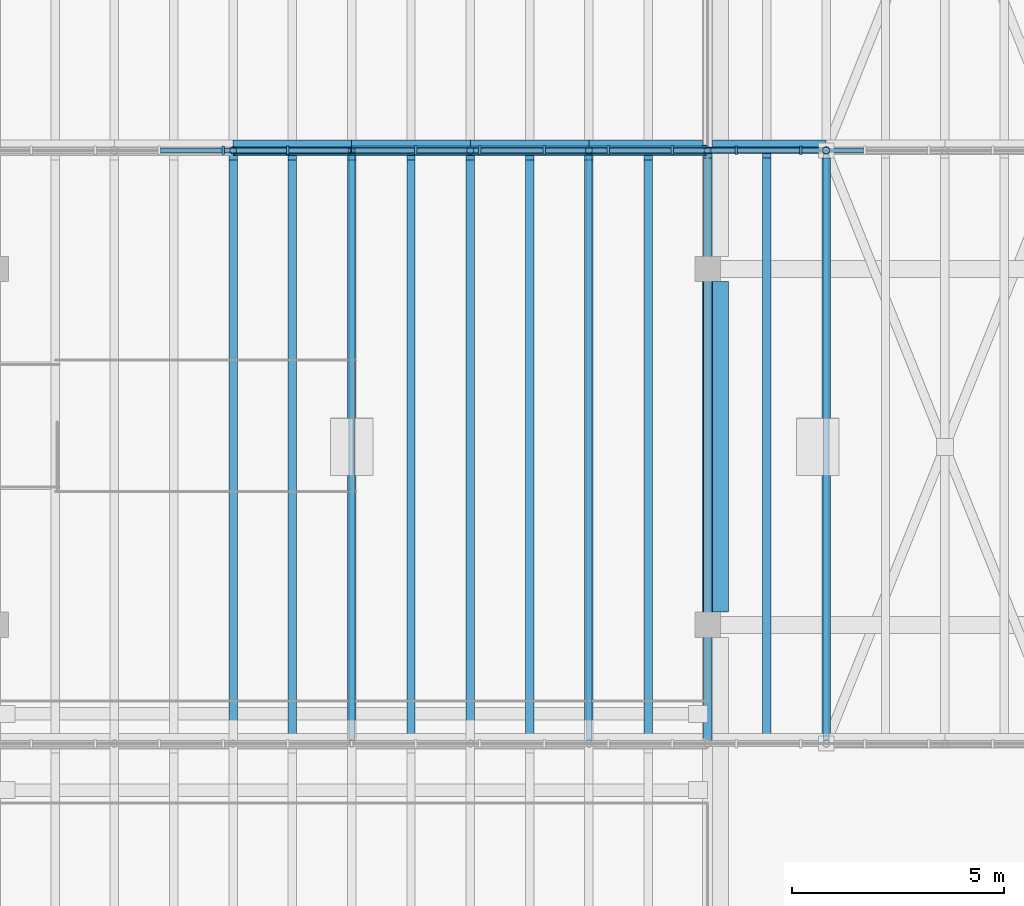
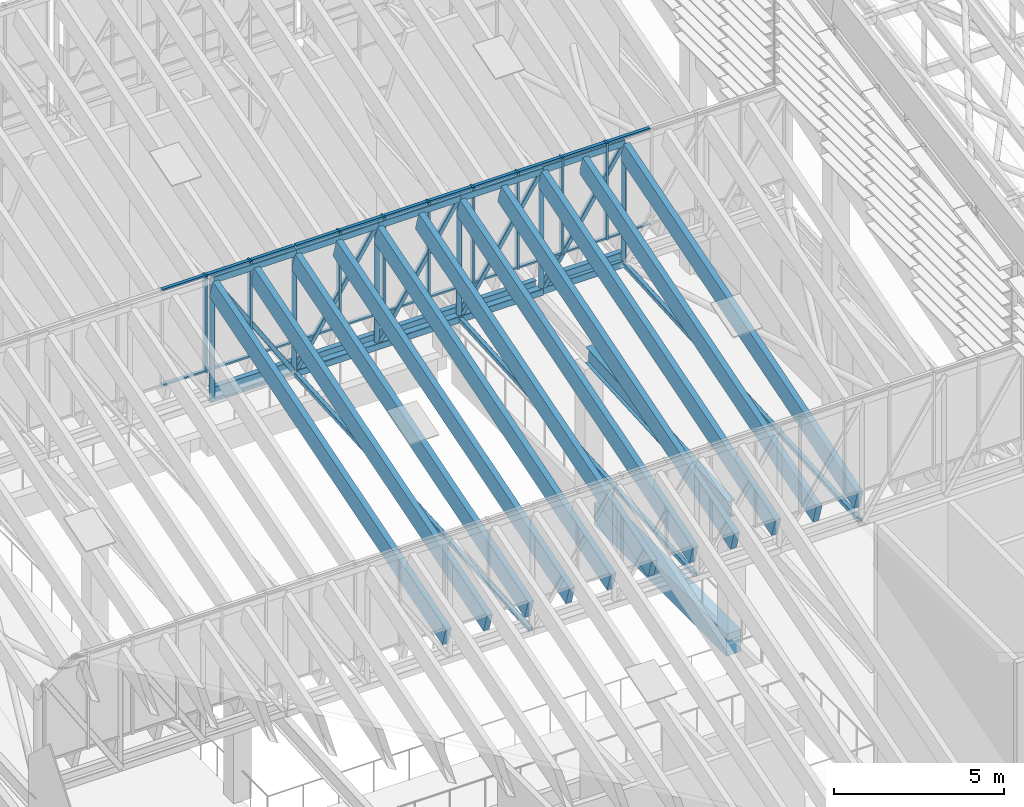
# One storey, part 12 of 91: 63 members, 7 beams, 1 element without a shape of its own.
"""IFC4 building model written with IfcOpenShell, lengths in metres."""

from ifc_helpers import new_model, si_unit, direction, frame, origin, origin_2d, place, context, subcontext, project, spatial, rectangle, hollow_rectangle, hollow_circle, i_section, extrude, material, material_profile, profile_set, type_object, element, aggregate, save


model = new_model("IFC4")

# Units and contexts
model_context = context("Model", 3, precision=1e-05, world=origin(), true_north=direction((0.0, 1.0)))
body_context = subcontext(model_context, "Body", "Model", "MODEL_VIEW")
ifc_project = project(units=[si_unit("LENGTHUNIT", "METRE"), si_unit("AREAUNIT", "SQUARE_METRE"), si_unit("VOLUMEUNIT", "CUBIC_METRE"), si_unit("PLANEANGLEUNIT", "RADIAN"), si_unit("MASSUNIT", "GRAM", prefix="KILO")], contexts=[model_context])

# Site, building, storey
site_placement = place(None, origin())
site = spatial("IfcSite", under=ifc_project, at=site_placement, CompositionType="ELEMENT")
building_placement = place(site_placement, origin())
building = spatial("IfcBuilding", under=site, at=building_placement, Name="Almond Square Museum", CompositionType="ELEMENT")
storey_placement = place(building_placement, frame((0.0, 0.0, 30.0)))
storey = spatial("IfcBuildingStorey", under=building, at=storey_placement, Name="L05", CompositionType="ELEMENT", Elevation=30.0)

# Curtain wall, members
ifc_material_1 = material(Name="Aluminium and laminated glass", Category="aluminium")
curtain_wall_type = type_object("IfcCurtainWallType", Name="Unitised curtain wall 1500 module", PredefinedType="NOTDEFINED", material=ifc_material_1)
curtain_wall_placement = place(storey_placement, origin())
curtain_wall = element("IfcCurtainWall", 1, at=curtain_wall_placement, inside=storey, type_object=curtain_wall_type, Name="Rooflight glazing AG2", PredefinedType="NOTDEFINED")
ifc_material_2 = material(Name="Anodised aluminium", Category="aluminium")
ifc_material_profile_1 = material_profile(ifc_material_2, rectangle(XDim=0.199951171875, YDim=0.06005859375, at=origin_2d()))
ifc_profile_set_1 = profile_set([ifc_material_profile_1], Name="Anodised aluminium")
member_type_1 = type_object("IfcMemberType", Name="Aluminium mullion 60 x 200", PredefinedType="MULLION", material=ifc_profile_set_1)
member_1_placement = place(storey_placement, frame((86.97265625, 95.199951171875, 6.60009765625), z_axis=(0.0, 0.0, 1.0), x_axis=(0.0, 1.0, 0.0)))
member_1 = element("IfcMember", 2, at=member_1_placement, type_object=member_type_1, Name="CW-57 mullion 10", PredefinedType="MULLION", context=body_context, shape_type="SweptSolid", body=[
    extrude(rectangle(XDim=0.199951171875, YDim=0.06005859375, at=origin_2d()), origin(), (0.0, 0.0, 1.0), 3.480224609375),
])
member_2_placement = place(storey_placement, frame((88.486328125, 95.199951171875, 6.60009765625), z_axis=(0.0, 0.0, 1.0), x_axis=(0.0, 1.0, 0.0)))
member_2 = element("IfcMember", 3, at=member_2_placement, type_object=member_type_1, Name="CW-57 mullion 11", PredefinedType="MULLION", context=body_context, shape_type="SweptSolid", body=[
    extrude(rectangle(XDim=0.199951171875, YDim=0.06005859375, at=origin_2d()), origin(), (0.0, 0.0, 1.0), 3.480224609375),
])
member_3_placement = place(storey_placement, frame((91.513671875, 95.199951171875, 6.60009765625), z_axis=(0.0, 0.0, 1.0), x_axis=(0.0, 1.0, 0.0)))
member_3 = element("IfcMember", 4, at=member_3_placement, type_object=member_type_1, Name="CW-57 mullion 13", PredefinedType="MULLION", context=body_context, shape_type="SweptSolid", body=[
    extrude(rectangle(XDim=0.199951171875, YDim=0.06005859375, at=origin_2d()), origin(), (0.0, 0.0, 1.0), 3.480224609375),
])
member_4_placement = place(storey_placement, frame((93.02734375, 95.199951171875, 6.60009765625), z_axis=(0.0, 0.0, 1.0), x_axis=(0.0, 1.0, 0.0)))
member_4 = element("IfcMember", 5, at=member_4_placement, type_object=member_type_1, Name="CW-57 mullion 14", PredefinedType="MULLION", context=body_context, shape_type="SweptSolid", body=[
    extrude(rectangle(XDim=0.199951171875, YDim=0.06005859375, at=origin_2d()), origin(), (0.0, 0.0, 1.0), 3.480224609375),
])
member_5_placement = place(storey_placement, frame((94.541015625, 95.199951171875, 6.60009765625), z_axis=(0.0, 0.0, 1.0), x_axis=(0.0, 1.0, 0.0)))
member_5 = element("IfcMember", 6, at=member_5_placement, type_object=member_type_1, Name="CW-57 mullion 15", PredefinedType="MULLION", context=body_context, shape_type="SweptSolid", body=[
    extrude(rectangle(XDim=0.199951171875, YDim=0.06005859375, at=origin_2d()), origin(), (0.0, 0.0, 1.0), 3.480224609375),
])
member_6_placement = place(storey_placement, frame((96.054443359375, 95.199951171875, 6.60009765625), z_axis=(0.0, 0.0, 1.0), x_axis=(0.0, 1.0, 0.0)))
member_6 = element("IfcMember", 7, at=member_6_placement, type_object=member_type_1, Name="CW-57 mullion 16", PredefinedType="MULLION", context=body_context, shape_type="SweptSolid", body=[
    extrude(rectangle(XDim=0.199951171875, YDim=0.06005859375, at=origin_2d()), origin(), (0.0, 0.0, 1.0), 3.480224609375),
])
member_7_placement = place(storey_placement, frame((97.568115234375, 95.199951171875, 6.60009765625), z_axis=(0.0, 0.0, 1.0), x_axis=(0.0, 1.0, 0.0)))
member_7 = element("IfcMember", 8, at=member_7_placement, type_object=member_type_1, Name="CW-57 mullion 17", PredefinedType="MULLION", context=body_context, shape_type="SweptSolid", body=[
    extrude(rectangle(XDim=0.199951171875, YDim=0.06005859375, at=origin_2d()), origin(), (0.0, 0.0, 1.0), 3.480224609375),
])
member_8_placement = place(storey_placement, frame((99.081787109375, 95.199951171875, 6.60009765625), z_axis=(0.0, 0.0, 1.0), x_axis=(0.0, 1.0, 0.0)))
member_8 = element("IfcMember", 9, at=member_8_placement, type_object=member_type_1, Name="CW-57 mullion 18", PredefinedType="MULLION", context=body_context, shape_type="SweptSolid", body=[
    extrude(rectangle(XDim=0.199951171875, YDim=0.06005859375, at=origin_2d()), origin(), (0.0, 0.0, 1.0), 3.480224609375),
])
member_9_placement = place(storey_placement, frame((100.595458984375, 95.199951171875, 6.60009765625), z_axis=(0.0, 0.0, 1.0), x_axis=(0.0, 1.0, 0.0)))
member_9 = element("IfcMember", 10, at=member_9_placement, type_object=member_type_1, Name="CW-57 mullion 19", PredefinedType="MULLION", context=body_context, shape_type="SweptSolid", body=[
    extrude(rectangle(XDim=0.199951171875, YDim=0.06005859375, at=origin_2d()), origin(), (0.0, 0.0, 1.0), 3.480224609375),
])
ifc_material_3 = material(Name="Anodised aluminium", Category="aluminium")
ifc_material_profile_2 = material_profile(ifc_material_3, rectangle(XDim=0.1201171875, YDim=0.06005859375, at=origin_2d()))
ifc_profile_set_2 = profile_set([ifc_material_profile_2], Name="Anodised aluminium")
member_type_2 = type_object("IfcMemberType", Name="Aluminium transom 60 x 120", PredefinedType="USERDEFINED", material=ifc_profile_set_2)
member_10_placement = place(storey_placement, frame((85.489013671875, 95.199951171875, 6.6298828125), z_axis=(1.0, 0.0, 0.0), x_axis=(0.0, 1.0, 0.0)))
member_10 = element("IfcMember", 11, at=member_10_placement, type_object=member_type_2, Name="CW-57 transom 9.1", ObjectType="TRANSOM", PredefinedType="USERDEFINED", context=body_context, shape_type="SweptSolid", body=[
    extrude(rectangle(XDim=0.1201171875, YDim=0.06005859375, at=origin_2d()), origin(), (0.0, 0.0, 1.0), 1.45361328125),
])
member_11_placement = place(storey_placement, frame((85.489013671875, 95.199951171875, 10.05029296875), z_axis=(1.0, 0.0, 0.0), x_axis=(0.0, 1.0, 0.0)))
member_11 = element("IfcMember", 12, at=member_11_placement, type_object=member_type_2, Name="CW-57 transom 9.2", ObjectType="TRANSOM", PredefinedType="USERDEFINED", context=body_context, shape_type="SweptSolid", body=[
    extrude(rectangle(XDim=0.1201171875, YDim=0.06005859375, at=origin_2d()), origin(), (0.0, 0.0, 1.0), 1.45361328125),
])
member_12_placement = place(storey_placement, frame((87.002685546875, 95.199951171875, 6.6298828125), z_axis=(1.0, 0.0, 0.0), x_axis=(0.0, 1.0, 0.0)))
member_12 = element("IfcMember", 13, at=member_12_placement, type_object=member_type_2, Name="CW-57 transom 10.1", ObjectType="TRANSOM", PredefinedType="USERDEFINED", context=body_context, shape_type="SweptSolid", body=[
    extrude(rectangle(XDim=0.1201171875, YDim=0.06005859375, at=origin_2d()), origin(), (0.0, 0.0, 1.0), 1.45361328125),
])
member_13_placement = place(storey_placement, frame((87.002685546875, 95.199951171875, 10.05029296875), z_axis=(1.0, 0.0, 0.0), x_axis=(0.0, 1.0, 0.0)))
member_13 = element("IfcMember", 14, at=member_13_placement, type_object=member_type_2, Name="CW-57 transom 10.2", ObjectType="TRANSOM", PredefinedType="USERDEFINED", context=body_context, shape_type="SweptSolid", body=[
    extrude(rectangle(XDim=0.1201171875, YDim=0.06005859375, at=origin_2d()), origin(), (0.0, 0.0, 1.0), 1.45361328125),
])
member_14_placement = place(storey_placement, frame((88.516357421875, 95.199951171875, 6.6298828125), z_axis=(1.0, 0.0, 0.0), x_axis=(0.0, 1.0, 0.0)))
member_14 = element("IfcMember", 15, at=member_14_placement, type_object=member_type_2, Name="CW-57 transom 11.1", ObjectType="TRANSOM", PredefinedType="USERDEFINED", context=body_context, shape_type="SweptSolid", body=[
    extrude(rectangle(XDim=0.1201171875, YDim=0.06005859375, at=origin_2d()), origin(), (0.0, 0.0, 1.0), 1.45361328125),
])
member_15_placement = place(storey_placement, frame((88.516357421875, 95.199951171875, 10.05029296875), z_axis=(1.0, 0.0, 0.0), x_axis=(0.0, 1.0, 0.0)))
member_15 = element("IfcMember", 16, at=member_15_placement, type_object=member_type_2, Name="CW-57 transom 11.2", ObjectType="TRANSOM", PredefinedType="USERDEFINED", context=body_context, shape_type="SweptSolid", body=[
    extrude(rectangle(XDim=0.1201171875, YDim=0.06005859375, at=origin_2d()), origin(), (0.0, 0.0, 1.0), 1.45361328125),
])
member_16_placement = place(storey_placement, frame((90.030029296875, 95.199951171875, 6.6298828125), z_axis=(1.0, 0.0, 0.0), x_axis=(0.0, 1.0, 0.0)))
member_16 = element("IfcMember", 17, at=member_16_placement, type_object=member_type_2, Name="CW-57 transom 12.1", ObjectType="TRANSOM", PredefinedType="USERDEFINED", context=body_context, shape_type="SweptSolid", body=[
    extrude(rectangle(XDim=0.1201171875, YDim=0.06005859375, at=origin_2d()), origin(), (0.0, 0.0, 1.0), 1.45361328125),
])
member_17_placement = place(storey_placement, frame((90.030029296875, 95.199951171875, 10.05029296875), z_axis=(1.0, 0.0, 0.0), x_axis=(0.0, 1.0, 0.0)))
member_17 = element("IfcMember", 18, at=member_17_placement, type_object=member_type_2, Name="CW-57 transom 12.2", ObjectType="TRANSOM", PredefinedType="USERDEFINED", context=body_context, shape_type="SweptSolid", body=[
    extrude(rectangle(XDim=0.1201171875, YDim=0.06005859375, at=origin_2d()), origin(), (0.0, 0.0, 1.0), 1.45361328125),
])
member_18_placement = place(storey_placement, frame((91.543701171875, 95.199951171875, 6.6298828125), z_axis=(1.0, 0.0, 0.0), x_axis=(0.0, 1.0, 0.0)))
member_18 = element("IfcMember", 19, at=member_18_placement, type_object=member_type_2, Name="CW-57 transom 13.1", ObjectType="TRANSOM", PredefinedType="USERDEFINED", context=body_context, shape_type="SweptSolid", body=[
    extrude(rectangle(XDim=0.1201171875, YDim=0.06005859375, at=origin_2d()), origin(), (0.0, 0.0, 1.0), 1.45361328125),
])
member_19_placement = place(storey_placement, frame((91.543701171875, 95.199951171875, 10.05029296875), z_axis=(1.0, 0.0, 0.0), x_axis=(0.0, 1.0, 0.0)))
member_19 = element("IfcMember", 20, at=member_19_placement, type_object=member_type_2, Name="CW-57 transom 13.2", ObjectType="TRANSOM", PredefinedType="USERDEFINED", context=body_context, shape_type="SweptSolid", body=[
    extrude(rectangle(XDim=0.1201171875, YDim=0.06005859375, at=origin_2d()), origin(), (0.0, 0.0, 1.0), 1.45361328125),
])
member_20_placement = place(storey_placement, frame((93.057373046875, 95.199951171875, 6.6298828125), z_axis=(1.0, 0.0, 0.0), x_axis=(0.0, 1.0, 0.0)))
member_20 = element("IfcMember", 21, at=member_20_placement, type_object=member_type_2, Name="CW-57 transom 14.1", ObjectType="TRANSOM", PredefinedType="USERDEFINED", context=body_context, shape_type="SweptSolid", body=[
    extrude(rectangle(XDim=0.1201171875, YDim=0.06005859375, at=origin_2d()), origin(), (0.0, 0.0, 1.0), 1.45361328125),
])
member_21_placement = place(storey_placement, frame((93.057373046875, 95.199951171875, 10.05029296875), z_axis=(1.0, 0.0, 0.0), x_axis=(0.0, 1.0, 0.0)))
member_21 = element("IfcMember", 22, at=member_21_placement, type_object=member_type_2, Name="CW-57 transom 14.2", ObjectType="TRANSOM", PredefinedType="USERDEFINED", context=body_context, shape_type="SweptSolid", body=[
    extrude(rectangle(XDim=0.1201171875, YDim=0.06005859375, at=origin_2d()), origin(), (0.0, 0.0, 1.0), 1.45361328125),
])
member_22_placement = place(storey_placement, frame((94.57080078125, 95.199951171875, 6.6298828125), z_axis=(1.0, 0.0, 0.0), x_axis=(0.0, 1.0, 0.0)))
member_22 = element("IfcMember", 23, at=member_22_placement, type_object=member_type_2, Name="CW-57 transom 15.1", ObjectType="TRANSOM", PredefinedType="USERDEFINED", context=body_context, shape_type="SweptSolid", body=[
    extrude(rectangle(XDim=0.1201171875, YDim=0.06005859375, at=origin_2d()), origin(), (0.0, 0.0, 1.0), 1.453857421875),
])
member_23_placement = place(storey_placement, frame((94.57080078125, 95.199951171875, 10.05029296875), z_axis=(1.0, 0.0, 0.0), x_axis=(0.0, 1.0, 0.0)))
member_23 = element("IfcMember", 24, at=member_23_placement, type_object=member_type_2, Name="CW-57 transom 15.2", ObjectType="TRANSOM", PredefinedType="USERDEFINED", context=body_context, shape_type="SweptSolid", body=[
    extrude(rectangle(XDim=0.1201171875, YDim=0.06005859375, at=origin_2d()), origin(), (0.0, 0.0, 1.0), 1.453857421875),
])
member_24_placement = place(storey_placement, frame((96.08447265625, 95.199951171875, 6.6298828125), z_axis=(1.0, 0.0, 0.0), x_axis=(0.0, 1.0, 0.0)))
member_24 = element("IfcMember", 25, at=member_24_placement, type_object=member_type_2, Name="CW-57 transom 16.1", ObjectType="TRANSOM", PredefinedType="USERDEFINED", context=body_context, shape_type="SweptSolid", body=[
    extrude(rectangle(XDim=0.1201171875, YDim=0.06005859375, at=origin_2d()), origin(), (0.0, 0.0, 1.0), 1.45361328125),
])
member_25_placement = place(storey_placement, frame((96.08447265625, 95.199951171875, 10.05029296875), z_axis=(1.0, 0.0, 0.0), x_axis=(0.0, 1.0, 0.0)))
member_25 = element("IfcMember", 26, at=member_25_placement, type_object=member_type_2, Name="CW-57 transom 16.2", ObjectType="TRANSOM", PredefinedType="USERDEFINED", context=body_context, shape_type="SweptSolid", body=[
    extrude(rectangle(XDim=0.1201171875, YDim=0.06005859375, at=origin_2d()), origin(), (0.0, 0.0, 1.0), 1.45361328125),
])
member_26_placement = place(storey_placement, frame((97.59814453125, 95.199951171875, 6.6298828125), z_axis=(1.0, 0.0, 0.0), x_axis=(0.0, 1.0, 0.0)))
member_26 = element("IfcMember", 27, at=member_26_placement, type_object=member_type_2, Name="CW-57 transom 17.1", ObjectType="TRANSOM", PredefinedType="USERDEFINED", context=body_context, shape_type="SweptSolid", body=[
    extrude(rectangle(XDim=0.1201171875, YDim=0.06005859375, at=origin_2d()), origin(), (0.0, 0.0, 1.0), 1.45361328125),
])
member_27_placement = place(storey_placement, frame((97.59814453125, 95.199951171875, 10.05029296875), z_axis=(1.0, 0.0, 0.0), x_axis=(0.0, 1.0, 0.0)))
member_27 = element("IfcMember", 28, at=member_27_placement, type_object=member_type_2, Name="CW-57 transom 17.2", ObjectType="TRANSOM", PredefinedType="USERDEFINED", context=body_context, shape_type="SweptSolid", body=[
    extrude(rectangle(XDim=0.1201171875, YDim=0.06005859375, at=origin_2d()), origin(), (0.0, 0.0, 1.0), 1.45361328125),
])
member_28_placement = place(storey_placement, frame((99.11181640625, 95.199951171875, 6.6298828125), z_axis=(1.0, 0.0, 0.0), x_axis=(0.0, 1.0, 0.0)))
member_28 = element("IfcMember", 29, at=member_28_placement, type_object=member_type_2, Name="CW-57 transom 18.1", ObjectType="TRANSOM", PredefinedType="USERDEFINED", context=body_context, shape_type="SweptSolid", body=[
    extrude(rectangle(XDim=0.1201171875, YDim=0.06005859375, at=origin_2d()), origin(), (0.0, 0.0, 1.0), 1.45361328125),
])
member_29_placement = place(storey_placement, frame((99.11181640625, 95.199951171875, 10.05029296875), z_axis=(1.0, 0.0, 0.0), x_axis=(0.0, 1.0, 0.0)))
member_29 = element("IfcMember", 30, at=member_29_placement, type_object=member_type_2, Name="CW-57 transom 18.2", ObjectType="TRANSOM", PredefinedType="USERDEFINED", context=body_context, shape_type="SweptSolid", body=[
    extrude(rectangle(XDim=0.1201171875, YDim=0.06005859375, at=origin_2d()), origin(), (0.0, 0.0, 1.0), 1.45361328125),
])
member_30_placement = place(storey_placement, frame((100.62548828125, 95.199951171875, 6.6298828125), z_axis=(1.0, 0.0, 0.0), x_axis=(0.0, 1.0, 0.0)))
member_30 = element("IfcMember", 31, at=member_30_placement, type_object=member_type_2, Name="CW-57 transom 19.1", ObjectType="TRANSOM", PredefinedType="USERDEFINED", context=body_context, shape_type="SweptSolid", body=[
    extrude(rectangle(XDim=0.1201171875, YDim=0.06005859375, at=origin_2d()), origin(), (0.0, 0.0, 1.0), 1.45361328125),
])
member_31_placement = place(storey_placement, frame((100.62548828125, 95.199951171875, 10.05029296875), z_axis=(1.0, 0.0, 0.0), x_axis=(0.0, 1.0, 0.0)))
member_31 = element("IfcMember", 32, at=member_31_placement, type_object=member_type_2, Name="CW-57 transom 19.2", ObjectType="TRANSOM", PredefinedType="USERDEFINED", context=body_context, shape_type="SweptSolid", body=[
    extrude(rectangle(XDim=0.1201171875, YDim=0.06005859375, at=origin_2d()), origin(), (0.0, 0.0, 1.0), 1.45361328125),
])
aggregate(curtain_wall, [member_1, member_2, member_3, member_4, member_5, member_6, member_7, member_8, member_9, member_10, member_11, member_12, member_13, member_14, member_15, member_16, member_17, member_18, member_19, member_20, member_21, member_22, member_23, member_24, member_25, member_26, member_27, member_28, member_29, member_30, member_31])

# Beam
ifc_material_4 = material(Name="Structural steel S355", Category="steel")
ifc_material_profile_3 = material_profile(ifc_material_4, i_section(OverallWidth=0.22802734375, OverallDepth=0.60693359375, WebThickness=0.01123046875, FlangeThickness=0.017333984375, at=origin_2d()))
ifc_profile_set_3 = profile_set([ifc_material_profile_3], Name="Structural steel S355")
beam_type_1 = type_object("IfcBeamType", Name="Girder W610x113", PredefinedType="BEAM", material=ifc_profile_set_3)
beam_1_placement = place(storey_placement, frame((98.39990234375, 84.0, 4.436767578125), z_axis=(0.0, 0.998371428865, 0.0570481378), x_axis=(-1.0, 0.0, 0.0)))
element("IfcBeam", 33, at=beam_1_placement, inside=storey, type_object=beam_type_1, Name="Atrium roof girder 3.2", PredefinedType="BEAM", context=body_context, shape_type="SweptSolid", body=[
    extrude(i_section(OverallWidth=0.22802734375, OverallDepth=0.60693359375, WebThickness=0.01123046875, FlangeThickness=0.017333984375, at=origin_2d()), origin(), (0.0, 0.0, 1.0), 8.41357421875),
])

# Members
ifc_material_5 = material(Name="Glulam GL28h", Category="wood")
ifc_material_profile_4 = material_profile(ifc_material_5, rectangle(XDim=0.199951171875, YDim=0.699951171875, at=origin_2d()))
ifc_profile_set_4 = profile_set([ifc_material_profile_4], Name="Glulam GL28h")
member_type_3 = type_object("IfcMemberType", Name="Glulam rafter GL28h 200x700", PredefinedType="RAFTER", material=ifc_profile_set_4)
for number, where, z_axis, x_axis, name in (
    (34, (87.199951171875, 81.35791015625, 5.377685546875), (0.0, 0.956302273391, 0.292379824727), (-1.0, 0.0, 0.0), "Atrium rafter 2.11"),
    (35, (88.60009765625, 81.35791015625, 5.377685546875), (0.0, 0.956302273391, 0.292379824727), (-1.0, 0.0, 0.0), "Atrium rafter 2.12"),
    (36, (90.0, 81.35791015625, 5.377685546875), (0.0, 0.956302273391, 0.292379824727), (-1.0, 0.0, 0.0), "Atrium rafter 2.13"),
    (37, (91.39990234375, 81.35791015625, 5.377685546875), (0.0, 0.956302273391, 0.292379824727), (-1.0, 0.0, 0.0), "Atrium rafter 2.14"),
    (38, (92.800048828125, 81.35791015625, 5.377685546875), (0.0, 0.956302273391, 0.292379824727), (-1.0, 0.0, 0.0), "Atrium rafter 2.15"),
    (39, (94.199951171875, 81.35791015625, 5.377685546875), (0.0, 0.956302273391, 0.292379824727), (-1.0, 0.0, 0.0), "Atrium rafter 2.16"),
    (40, (95.60009765625, 81.35791015625, 5.377685546875), (0.0, 0.956302273391, 0.292379824727), (-1.0, 0.0, 0.0), "Atrium rafter 2.17"),
    (41, (97.0, 81.35791015625, 5.377685546875), (0.0, 0.956302273391, 0.292379824727), (-1.0, 0.0, 0.0), "Atrium rafter 2.18"),
):
    element("IfcMember", number, at=place(storey_placement, frame(where, z_axis=z_axis, x_axis=x_axis)), inside=storey, type_object=member_type_3, Name=name, PredefinedType="RAFTER", context=body_context, shape_type="SweptSolid", body=[
        extrude(rectangle(XDim=0.199951171875, YDim=0.699951171875, at=origin_2d()), origin(), (0.0, 0.0, 1.0), 14.34375),
    ])
for number, where, z_axis, x_axis, name in (
    (42, (98.39990234375, 81.35791015625, 5.377685546875), (0.0, 0.956305482031, 0.29236932985), (-1.0, 0.0, 0.0), "Atrium rafter 2.19"),
    (43, (99.800048828125, 81.35791015625, 5.377685546875), (0.0, 0.956305482031, 0.29236932985), (-1.0, 0.0, 0.0), "Atrium rafter 2.20"),
    (44, (101.199951171875, 81.35791015625, 5.377685546875), (0.0, 0.956305482031, 0.29236932985), (-1.0, 0.0, 0.0), "Atrium rafter 2.21"),
):
    element("IfcMember", number, at=place(storey_placement, frame(where, z_axis=z_axis, x_axis=x_axis)), inside=storey, type_object=member_type_3, Name=name, PredefinedType="RAFTER", context=body_context, shape_type="SweptSolid", body=[
        extrude(rectangle(XDim=0.199951171875, YDim=0.699951171875, at=origin_2d()), origin(), (0.0, 0.0, 1.0), 14.396240234375),
    ])

# Beam
ifc_material_6 = material(Name="Concrete C40/50", Category="concrete")
ifc_material_profile_5 = material_profile(ifc_material_6, rectangle(XDim=0.5, YDim=0.800048828125, at=origin_2d()))
ifc_profile_set_5 = profile_set([ifc_material_profile_5], Name="Concrete C40/50")
beam_type_2 = type_object("IfcBeamType", Name="RC edge beam 500 x 800 C40/50", PredefinedType="BEAM", material=ifc_profile_set_5)
beam_2_placement = place(storey_placement, frame((98.64990234375, 84.300048828125, -0.64990234375), z_axis=(0.0, 1.0, 0.0), x_axis=(-1.0, 0.0, 0.0)))
element("IfcBeam", 45, at=beam_2_placement, inside=storey, type_object=beam_type_2, Name="Edge beam 13 K-L L05", PredefinedType="BEAM", context=body_context, shape_type="SweptSolid", body=[
    extrude(rectangle(XDim=0.5, YDim=0.800048828125, at=origin_2d()), origin(), (0.0, 0.0, 1.0), 7.800048828125),
])

# Members
ifc_material_7 = material(Name="Structural steel S355", Category="steel")
ifc_material_profile_6 = material_profile(ifc_material_7, hollow_rectangle(XDim=0.14990234375, YDim=0.25, WallThickness=0.010009765625, InnerFilletRadius=0.014892578125, OuterFilletRadius=0.02490234375, at=origin_2d()))
ifc_profile_set_6 = profile_set([ifc_material_profile_6], Name="Structural steel S355")
member_type_4 = type_object("IfcMemberType", Name="Truss chord RHS 250x150x10", PredefinedType="CHORD", material=ifc_profile_set_6)
for number, where, z_axis, x_axis, name in (
    (46, (98.39990234375, 95.199951171875, 9.8505859375), (1.0, 0.0, 0.0), (0.0, 1.0, 0.0), "TR-11 top chord 10"),
    (47, (98.39990234375, 95.199951171875, 5.505126953125), (1.0, 0.0, 0.0), (0.0, 1.0, 0.0), "TR-11 bottom chord 10"),
):
    element("IfcMember", number, at=place(storey_placement, frame(where, z_axis=z_axis, x_axis=x_axis)), inside=storey, type_object=member_type_4, Name=name, PredefinedType="CHORD", context=body_context, shape_type="SweptSolid", body=[
        extrude(hollow_rectangle(XDim=0.14990234375, YDim=0.25, WallThickness=0.010009765625, InnerFilletRadius=0.014892578125, OuterFilletRadius=0.02490234375, at=origin_2d()), origin(), (0.0, 0.0, 1.0), 2.800048828125),
    ])
ifc_material_8 = material(Name="Structural steel S355", Category="steel")
ifc_material_profile_7 = material_profile(ifc_material_8, hollow_rectangle(XDim=0.25, YDim=0.25, WallThickness=0.012451171875, InnerFilletRadius=0.02490234375, OuterFilletRadius=0.03759765625, at=origin_2d()))
ifc_profile_set_7 = profile_set([ifc_material_profile_7], Name="Structural steel S355")
member_type_5 = type_object("IfcMemberType", Name="Truss chord SHS 250x250x12.5", PredefinedType="CHORD", material=ifc_profile_set_7)
for number, where, z_axis, x_axis, name in (
    (48, (87.199951171875, 95.199951171875, 9.8505859375), (1.0, 0.0, 0.0), (0.0, 1.0, 0.0), "TR-11 top chord 6"),
    (49, (90.0, 95.199951171875, 9.8505859375), (1.0, 0.0, 0.0), (0.0, 1.0, 0.0), "TR-11 top chord 7"),
):
    element("IfcMember", number, at=place(storey_placement, frame(where, z_axis=z_axis, x_axis=x_axis)), inside=storey, type_object=member_type_5, Name=name, PredefinedType="CHORD", context=body_context, shape_type="SweptSolid", body=[
        extrude(hollow_rectangle(XDim=0.25, YDim=0.25, WallThickness=0.012451171875, InnerFilletRadius=0.02490234375, OuterFilletRadius=0.03759765625, at=origin_2d()), origin(), (0.0, 0.0, 1.0), 2.800048828125),
    ])
member_32_placement = place(storey_placement, frame((90.0, 95.199951171875, 5.505126953125), z_axis=(1.0, 0.0, 0.0), x_axis=(0.0, 1.0, 0.0)))
element("IfcMember", 50, at=member_32_placement, inside=storey, type_object=member_type_5, Name="TR-11 bottom chord 7 to 9", PredefinedType="CHORD", context=body_context, shape_type="SweptSolid", body=[
    extrude(hollow_rectangle(XDim=0.25, YDim=0.25, WallThickness=0.012451171875, InnerFilletRadius=0.02490234375, OuterFilletRadius=0.03759765625, at=origin_2d()), origin(), (0.0, 0.0, 1.0), 8.39990234375),
])
member_33_placement = place(storey_placement, frame((92.800048828125, 95.199951171875, 9.8505859375), z_axis=(1.0, 0.0, 0.0), x_axis=(0.0, 1.0, 0.0)))
element("IfcMember", 51, at=member_33_placement, inside=storey, type_object=member_type_5, Name="TR-11 top chord 8", PredefinedType="CHORD", context=body_context, shape_type="SweptSolid", body=[
    extrude(hollow_rectangle(XDim=0.25, YDim=0.25, WallThickness=0.012451171875, InnerFilletRadius=0.02490234375, OuterFilletRadius=0.03759765625, at=origin_2d()), origin(), (0.0, 0.0, 1.0), 2.800048828125),
])
member_34_placement = place(storey_placement, frame((95.60009765625, 95.199951171875, 9.8505859375), z_axis=(1.0, 0.0, 0.0), x_axis=(0.0, 1.0, 0.0)))
element("IfcMember", 52, at=member_34_placement, inside=storey, type_object=member_type_5, Name="TR-11 top chord 9", PredefinedType="CHORD", context=body_context, shape_type="SweptSolid", body=[
    extrude(hollow_rectangle(XDim=0.25, YDim=0.25, WallThickness=0.012451171875, InnerFilletRadius=0.02490234375, OuterFilletRadius=0.03759765625, at=origin_2d()), origin(), (0.0, 0.0, 1.0), 2.7998046875),
])
ifc_material_9 = material(Name="Structural steel S355", Category="steel")
ifc_material_profile_8 = material_profile(ifc_material_9, hollow_rectangle(XDim=0.14990234375, YDim=0.14990234375, WallThickness=0.008056640625, InnerFilletRadius=0.011962890625, OuterFilletRadius=0.02001953125, at=origin_2d()))
ifc_profile_set_8 = profile_set([ifc_material_profile_8], Name="Structural steel S355")
member_type_6 = type_object("IfcMemberType", Name="Truss diagonal SHS 150x150x8", PredefinedType="BRACE", material=ifc_profile_set_8)
for number, where, z_axis, x_axis, name in (
    (53, (87.199951171875, 95.199951171875, 9.8505859375), (0.541652391523, 0.0, -0.840602573609), (0.0, 1.0, 0.0), "TR-11 diagonal 6"),
    (54, (90.0, 95.199951171875, 5.505126953125), (0.541652391523, 0.0, 0.840602573609), (0.0, 1.0, 0.0), "TR-11 diagonal 7"),
    (55, (92.800048828125, 95.199951171875, 5.505126953125), (0.541652391523, 0.0, 0.840602573609), (0.0, 1.0, 0.0), "TR-11 diagonal 8"),
    (56, (95.60009765625, 95.199951171875, 5.505126953125), (0.54161901868, 0.0, 0.840624076865), (0.0, 1.0, 0.0), "TR-11 diagonal 9"),
    (57, (98.39990234375, 95.199951171875, 5.505126953125), (0.541652391523, 0.0, 0.840602573609), (0.0, 1.0, 0.0), "TR-11 diagonal 10"),
):
    element("IfcMember", number, at=place(storey_placement, frame(where, z_axis=z_axis, x_axis=x_axis)), inside=storey, type_object=member_type_6, Name=name, PredefinedType="BRACE", context=body_context, shape_type="SweptSolid", body=[
        extrude(hollow_rectangle(XDim=0.14990234375, YDim=0.14990234375, WallThickness=0.008056640625, InnerFilletRadius=0.011962890625, OuterFilletRadius=0.02001953125, at=origin_2d()), origin(), (0.0, 0.0, 1.0), 5.16943359375),
    ])
ifc_material_10 = material(Name="Structural steel S355", Category="steel")
ifc_material_profile_9 = material_profile(ifc_material_10, hollow_circle(Radius=0.084228515625, WallThickness=0.008056640625, at=origin_2d()))
ifc_profile_set_9 = profile_set([ifc_material_profile_9], Name="Structural steel S355")
member_type_7 = type_object("IfcMemberType", Name="Truss post CHS 168.3x8", PredefinedType="POST", material=ifc_profile_set_9)
for number, where, z_axis, x_axis, name in (
    (58, (87.199951171875, 95.199951171875, 5.505126953125), (0.0, 0.0, 1.0), (1.0, 0.0, 0.0), "TR-11 post 6"),
    (59, (90.0, 95.199951171875, 5.505126953125), (0.0, 0.0, 1.0), (1.0, 0.0, 0.0), "TR-11 post 7"),
    (60, (92.800048828125, 95.199951171875, 5.505126953125), (0.0, 0.0, 1.0), (1.0, 0.0, 0.0), "TR-11 post 8"),
    (61, (95.60009765625, 95.199951171875, 5.505126953125), (0.0, 0.0, 1.0), (1.0, 0.0, 0.0), "TR-11 post 9"),
    (62, (98.39990234375, 95.199951171875, 5.505126953125), (0.0, 0.0, 1.0), (1.0, 0.0, 0.0), "TR-11 post 10"),
    (63, (101.199951171875, 95.199951171875, 5.505126953125), (0.0, 0.0, 1.0), (1.0, 0.0, 0.0), "TR-11 post 11"),
):
    element("IfcMember", number, at=place(storey_placement, frame(where, z_axis=z_axis, x_axis=x_axis)), inside=storey, type_object=member_type_7, Name=name, PredefinedType="POST", context=body_context, shape_type="SweptSolid", body=[
        extrude(hollow_circle(Radius=0.084228515625, WallThickness=0.008056640625, at=origin_2d()), origin(), (0.0, 0.0, 1.0), 4.345458984375),
    ])
ifc_material_11 = material(Name="Structural steel S355", Category="steel")
ifc_material_profile_10 = material_profile(ifc_material_11, hollow_rectangle(XDim=0.14990234375, YDim=0.14990234375, WallThickness=0.008056640625, InnerFilletRadius=0.011962890625, OuterFilletRadius=0.02001953125, at=origin_2d()))
ifc_profile_set_10 = profile_set([ifc_material_profile_10], Name="Structural steel S355")
member_type_8 = type_object("IfcMemberType", Name="Truss tie SHS 150x150x8", PredefinedType="MEMBER", material=ifc_profile_set_10)
for number, where, z_axis, x_axis, name in (
    (64, (90.0, 81.27490234375, 4.705078125), (0.0, 0.998335774698, 0.057668717322), (-1.0, 0.0, 0.0), "Atrium bay 1 tie 4"),
    (65, (95.60009765625, 81.27490234375, 4.705078125), (0.0, 0.998335774698, 0.057668717322), (-1.0, 0.0, 0.0), "Atrium bay 1 tie 5"),
    (66, (101.199951171875, 81.27490234375, 4.705078125), (0.0, 0.998335774698, 0.057668717322), (-1.0, 0.0, 0.0), "Atrium bay 1 tie 6"),
):
    element("IfcMember", number, at=place(storey_placement, frame(where, z_axis=z_axis, x_axis=x_axis)), inside=storey, type_object=member_type_8, Name=name, PredefinedType="MEMBER", context=body_context, shape_type="SweptSolid", body=[
        extrude(hollow_rectangle(XDim=0.14990234375, YDim=0.14990234375, WallThickness=0.008056640625, InnerFilletRadius=0.011962890625, OuterFilletRadius=0.02001953125, at=origin_2d()), origin(), (0.0, 0.0, 1.0), 13.873291015625),
    ])

# Beams
ifc_material_12 = material(Name="Structural steel S355", Category="steel")
ifc_material_profile_11 = material_profile(ifc_material_12, i_section(OverallWidth=0.166015625, OverallDepth=0.528076171875, WebThickness=0.009765625, FlangeThickness=0.013671875, at=origin_2d()))
ifc_profile_set_11 = profile_set([ifc_material_profile_11], Name="Structural steel S355")
beam_type_3 = type_object("IfcBeamType", Name="Valley beam W530x74", PredefinedType="BEAM", material=ifc_profile_set_11)
for number, where, z_axis, x_axis, name in (
    (67, (87.199951171875, 95.35791015625, 5.587890625), (1.0, 0.0, 0.0), (0.0, 1.0, 0.0), "Atrium valley beam 2.6"),
    (68, (90.0, 95.35791015625, 5.587890625), (1.0, 0.0, 0.0), (0.0, 1.0, 0.0), "Atrium valley beam 2.7"),
    (69, (92.800048828125, 95.35791015625, 5.587890625), (1.0, 0.0, 0.0), (0.0, 1.0, 0.0), "Atrium valley beam 2.8"),
):
    element("IfcBeam", number, at=place(storey_placement, frame(where, z_axis=z_axis, x_axis=x_axis)), inside=storey, type_object=beam_type_3, Name=name, PredefinedType="BEAM", context=body_context, shape_type="SweptSolid", body=[
        extrude(i_section(OverallWidth=0.166015625, OverallDepth=0.528076171875, WebThickness=0.009765625, FlangeThickness=0.013671875, at=origin_2d()), origin(), (0.0, 0.0, 1.0), 2.800048828125),
    ])
beam_3_placement = place(storey_placement, frame((95.60009765625, 95.35791015625, 5.587890625), z_axis=(1.0, 0.0, 0.0), x_axis=(0.0, 1.0, 0.0)))
element("IfcBeam", 70, at=beam_3_placement, inside=storey, type_object=beam_type_3, Name="Atrium valley beam 2.9", PredefinedType="BEAM", context=body_context, shape_type="SweptSolid", body=[
    extrude(i_section(OverallWidth=0.166015625, OverallDepth=0.528076171875, WebThickness=0.009765625, FlangeThickness=0.013671875, at=origin_2d()), origin(), (0.0, 0.0, 1.0), 2.685791015625),
])
beam_4_placement = place(storey_placement, frame((98.513916015625, 95.35791015625, 5.587890625), z_axis=(1.0, 0.0, 0.0), x_axis=(0.0, 1.0, 0.0)))
element("IfcBeam", 71, at=beam_4_placement, inside=storey, type_object=beam_type_3, Name="Atrium valley beam 2.10", PredefinedType="BEAM", context=body_context, shape_type="SweptSolid", body=[
    extrude(i_section(OverallWidth=0.166015625, OverallDepth=0.528076171875, WebThickness=0.009765625, FlangeThickness=0.013671875, at=origin_2d()), origin(), (0.0, 0.0, 1.0), 2.68603515625),
])

save(model, "model.ifc")
